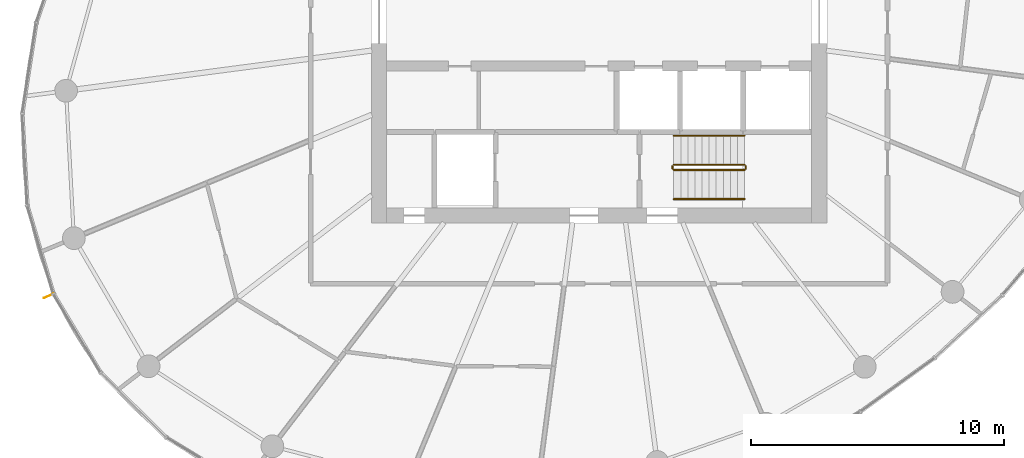
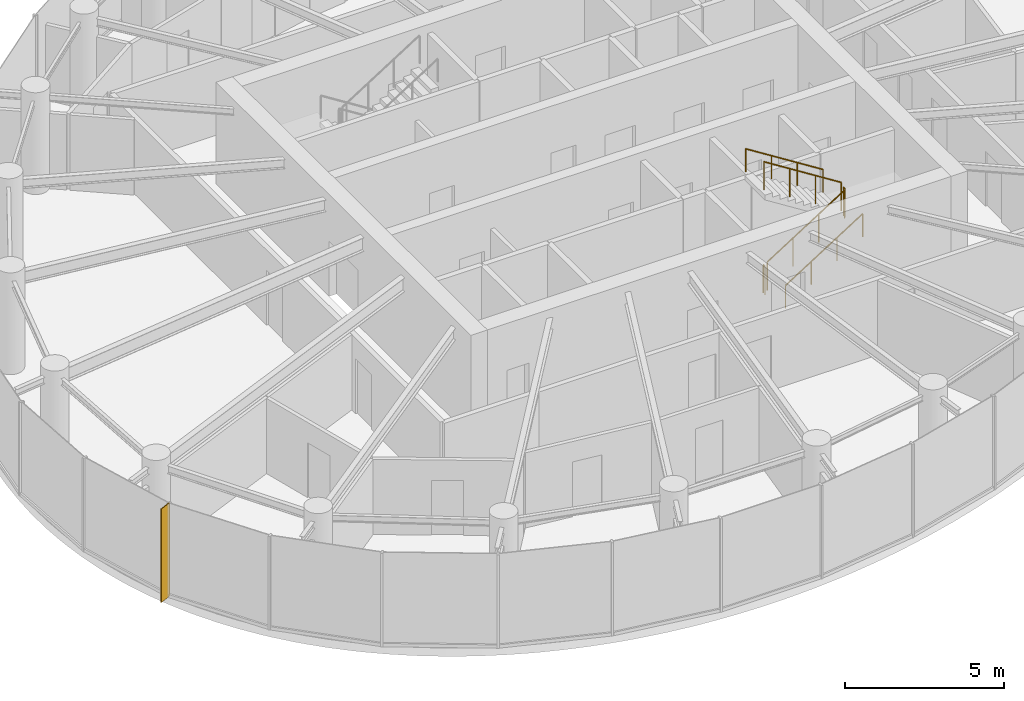
# One storey, part 13 of 14: 6 railings, 1 shading device.
"""IFC4 building model written with IfcOpenShell, lengths in metres."""

from ifc_helpers import new_model, si_unit, direction, frame, origin, origin_2d, place, context, subcontext, project, spatial, rectangle, circle, extrude, source, transform, mapped, material, material_profile, profile_set, type_object, element, save


model = new_model("IFC4")

# Units and contexts
model_context = context("Model", 3, precision=1e-05, world=origin(), true_north=direction((0.0, 1.0)))
body_context = subcontext(model_context, "Body", "Model", "MODEL_VIEW")
ifc_project = project(units=[si_unit("LENGTHUNIT", "METRE"), si_unit("AREAUNIT", "SQUARE_METRE"), si_unit("VOLUMEUNIT", "CUBIC_METRE"), si_unit("PLANEANGLEUNIT", "RADIAN"), si_unit("MASSUNIT", "GRAM", prefix="KILO")], contexts=[model_context])

# Site, building, storey
site_placement = place(None, origin())
site = spatial("IfcSite", under=ifc_project, at=site_placement, CompositionType="ELEMENT")
building_placement = place(site_placement, origin())
building = spatial("IfcBuilding", under=site, at=building_placement, Name="Spindrift Exchange Tower", CompositionType="ELEMENT")
storey_placement = place(building_placement, frame((0.0, 0.0, 211.10009765625)))
storey = spatial("IfcBuildingStorey", under=building, at=storey_placement, Name="L51", CompositionType="ELEMENT", Elevation=211.10009765625)

# Railings
ifc_material_1 = material(Name="Steel balustrade", Category="steel")
railing_type_1 = type_object("IfcRailingType", Name="RL-STAIR-GUARD", PredefinedType="GUARDRAIL", material=ifc_material_1)
railing_1_placement = place(storey_placement, frame((54.949951171875, 42.10009765625, 0.17724609375)))
element("IfcRailing", 1, at=railing_1_placement, inside=storey, type_object=railing_type_1, Name="L51 ST2 stair guard 1", PredefinedType="GUARDRAIL", context=body_context, shape_type="SweptSolid", body=[
    extrude(circle(Radius=0.02392578125, at=origin_2d()), frame((0.0, 0.0, 1.076171875), z_axis=(0.844908973607, 0.0, 0.534910110503), x_axis=(0.0, 1.0, 0.0)), (0.0, 0.0, 1.0), 3.31396484375),
    extrude(circle(Radius=0.02099609375, at=origin_2d()), origin(), (0.0, 0.0, 1.0), 1.052001953125),
    extrude(circle(Radius=0.02099609375, at=origin_2d()), frame((0.933349609375, 0.0, 0.5908203125)), (0.0, 0.0, 1.0), 1.052001953125),
    extrude(circle(Radius=0.02099609375, at=origin_2d()), frame((1.86669921875, 0.0, 1.181884765625)), (0.0, 0.0, 1.0), 1.052001953125),
    extrude(circle(Radius=0.02099609375, at=origin_2d()), frame((2.800048828125, 0.0, 1.772705078125)), (0.0, 0.0, 1.0), 1.052001953125),
])
railing_2_placement = place(storey_placement, frame((57.800048828125, 42.14990234375, 1.949951171875)))
element("IfcRailing", 2, at=railing_2_placement, inside=storey, type_object=railing_type_1, Name="L51 ST2 stair guard 2", PredefinedType="GUARDRAIL", context=body_context, shape_type="SweptSolid", body=[
    extrude(circle(Radius=0.02392578125, at=origin_2d()), frame((0.0, 0.0, 1.076171875), z_axis=(0.0, 1.0, 0.0), x_axis=(-1.0, 0.0, 0.0)), (0.0, 0.0, 1.0), 0.10009765625),
    extrude(circle(Radius=0.02099609375, at=origin_2d()), origin(), (0.0, 0.0, 1.0), 1.052001953125),
    extrude(circle(Radius=0.02099609375, at=origin_2d()), frame((0.0, 0.10009765625, 0.0)), (0.0, 0.0, 1.0), 1.052001953125),
])
railing_3_placement = place(storey_placement, frame((57.75, 42.300048828125, 2.127197265625)))
element("IfcRailing", 3, at=railing_3_placement, inside=storey, type_object=railing_type_1, Name="L51 ST2 stair guard 3", PredefinedType="GUARDRAIL", context=body_context, shape_type="SweptSolid", body=[
    extrude(circle(Radius=0.02392578125, at=origin_2d()), frame((0.0, 0.0, 1.076171875), z_axis=(-0.844908973607, 0.0, 0.534910110503), x_axis=(0.0, -1.0, 0.0)), (0.0, 0.0, 1.0), 3.31396484375),
    extrude(circle(Radius=0.02099609375, at=origin_2d()), origin(), (0.0, 0.0, 1.0), 1.052001953125),
    extrude(circle(Radius=0.02099609375, at=origin_2d()), frame((-0.933349609375, 0.0, 0.5908203125)), (0.0, 0.0, 1.0), 1.052001953125),
    extrude(circle(Radius=0.02099609375, at=origin_2d()), frame((-1.86669921875, 0.0, 1.181884765625)), (0.0, 0.0, 1.0), 1.052001953125),
    extrude(circle(Radius=0.02099609375, at=origin_2d()), frame((-2.800048828125, 0.0, 1.772705078125)), (0.0, 0.0, 1.0), 1.052001953125),
])
railing_4_placement = place(storey_placement, frame((54.89990234375, 42.14990234375, 0.0)))
element("IfcRailing", 4, at=railing_4_placement, inside=storey, type_object=railing_type_1, Name="L51 ST2 stair guard 4", PredefinedType="GUARDRAIL", context=body_context, shape_type="SweptSolid", body=[
    extrude(circle(Radius=0.02392578125, at=origin_2d()), frame((0.0, 0.0, 1.076171875), z_axis=(0.0, 1.0, 0.0), x_axis=(-1.0, 0.0, 0.0)), (0.0, 0.0, 1.0), 0.10009765625),
    extrude(circle(Radius=0.02099609375, at=origin_2d()), origin(), (0.0, 0.0, 1.0), 1.052001953125),
    extrude(circle(Radius=0.02099609375, at=origin_2d()), frame((0.0, 0.10009765625, 0.0)), (0.0, 0.0, 1.0), 1.052001953125),
])
ifc_material_2 = material(Name="Steel tubular handrail", Category="steel")
railing_type_2 = type_object("IfcRailingType", Name="RL-STAIR-HAND", PredefinedType="HANDRAIL", material=ifc_material_2)
railing_5_placement = place(storey_placement, frame((54.949951171875, 40.949951171875, 0.17724609375)))
element("IfcRailing", 5, at=railing_5_placement, inside=storey, type_object=railing_type_2, Name="L51 ST2 stair handrail 1", PredefinedType="HANDRAIL", context=body_context, shape_type="SweptSolid", body=[
    extrude(circle(Radius=0.02392578125, at=origin_2d()), frame((0.0, 0.0, 0.8759765625), z_axis=(0.844908973607, 0.0, 0.534910110503), x_axis=(0.0, 1.0, 0.0)), (0.0, 0.0, 1.0), 3.31396484375),
    extrude(circle(Radius=0.02099609375, at=origin_2d()), origin(), (0.0, 0.0, 1.0), 0.851806640625),
    extrude(circle(Radius=0.02099609375, at=origin_2d()), frame((0.933349609375, 0.0, 0.5908203125)), (0.0, 0.0, 1.0), 0.851806640625),
    extrude(circle(Radius=0.02099609375, at=origin_2d()), frame((1.86669921875, 0.0, 1.181884765625)), (0.0, 0.0, 1.0), 0.851806640625),
    extrude(circle(Radius=0.02099609375, at=origin_2d()), frame((2.800048828125, 0.0, 1.772705078125)), (0.0, 0.0, 1.0), 0.851806640625),
])
railing_6_placement = place(storey_placement, frame((57.75, 43.449951171875, 2.127197265625)))
element("IfcRailing", 6, at=railing_6_placement, inside=storey, type_object=railing_type_2, Name="L51 ST2 stair handrail 2", PredefinedType="HANDRAIL", context=body_context, shape_type="SweptSolid", body=[
    extrude(circle(Radius=0.02392578125, at=origin_2d()), frame((0.0, 0.0, 0.8759765625), z_axis=(-0.844908973607, 0.0, 0.534910110503), x_axis=(0.0, -1.0, 0.0)), (0.0, 0.0, 1.0), 3.31396484375),
    extrude(circle(Radius=0.02099609375, at=origin_2d()), origin(), (0.0, 0.0, 1.0), 0.851806640625),
    extrude(circle(Radius=0.02099609375, at=origin_2d()), frame((-0.933349609375, 0.0, 0.5908203125)), (0.0, 0.0, 1.0), 0.851806640625),
    extrude(circle(Radius=0.02099609375, at=origin_2d()), frame((-1.86669921875, 0.0, 1.181884765625)), (0.0, 0.0, 1.0), 0.851806640625),
    extrude(circle(Radius=0.02099609375, at=origin_2d()), frame((-2.800048828125, 0.0, 1.772705078125)), (0.0, 0.0, 1.0), 0.851806640625),
])

# Shading device
ifc_material_3 = material(Name="Bronze anodised aluminium", Category="aluminium")
ifc_material_profile = material_profile(ifc_material_3, rectangle(XDim=0.030029296875, YDim=0.449951171875, at=origin_2d()), Name="WIND FIN 30X450")
ifc_profile_set = profile_set([ifc_material_profile], Name="Bronze anodised aluminium")
shading_device_type = type_object("IfcShadingDeviceType", Name="WIND FIN 30X450", PredefinedType="USERDEFINED", material=ifc_profile_set)
shared_shape = source(origin(), body_context, "Body", "SweptSolid", [
    extrude(rectangle(XDim=0.030029296875, YDim=0.449951171875, at=origin_2d()), origin(), (0.0, 0.0, 1.0), 3.579833984375),
])
shading_device_placement = place(storey_placement, frame((30.260498046875, 37.12451171875, 0.0), z_axis=(0.0, 0.0, 1.0), x_axis=(0.402495864118, -0.915421804071, 0.0)))
element("IfcShadingDevice", 7, at=shading_device_placement, inside=storey, type_object=shading_device_type, Name="L51 wind fin 1", ObjectType="FIN", PredefinedType="USERDEFINED", context=body_context, shape_type="MappedRepresentation", body=[
    mapped(shared_shape, transform((0.0, 0.0, 0.0), scale=1.0)),
])

save(model, "model.ifc")
